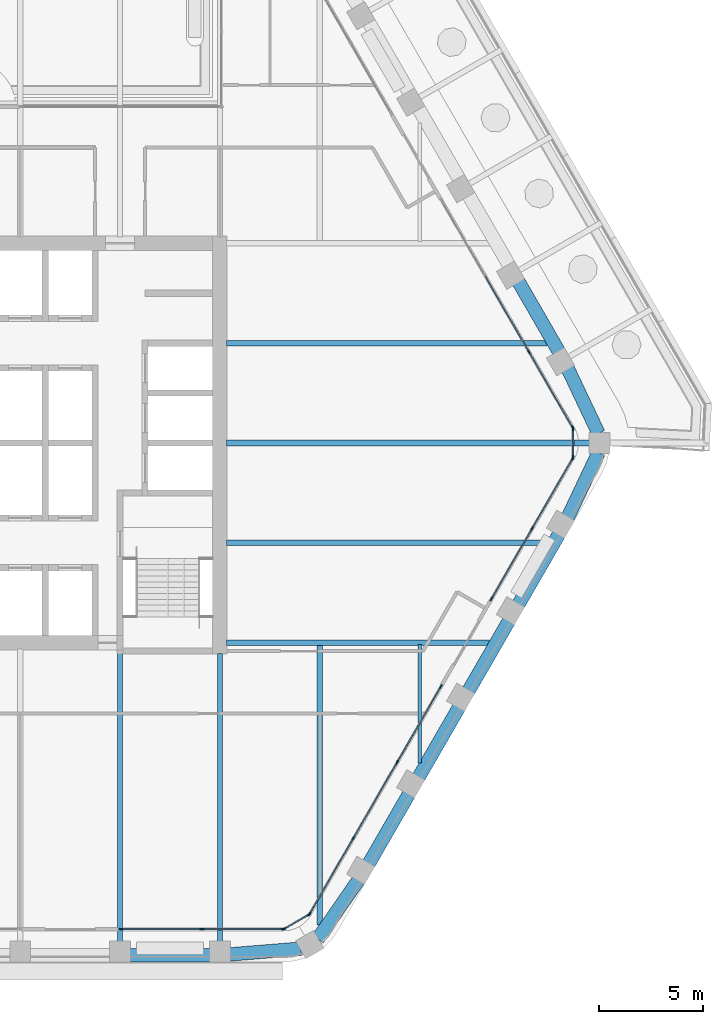
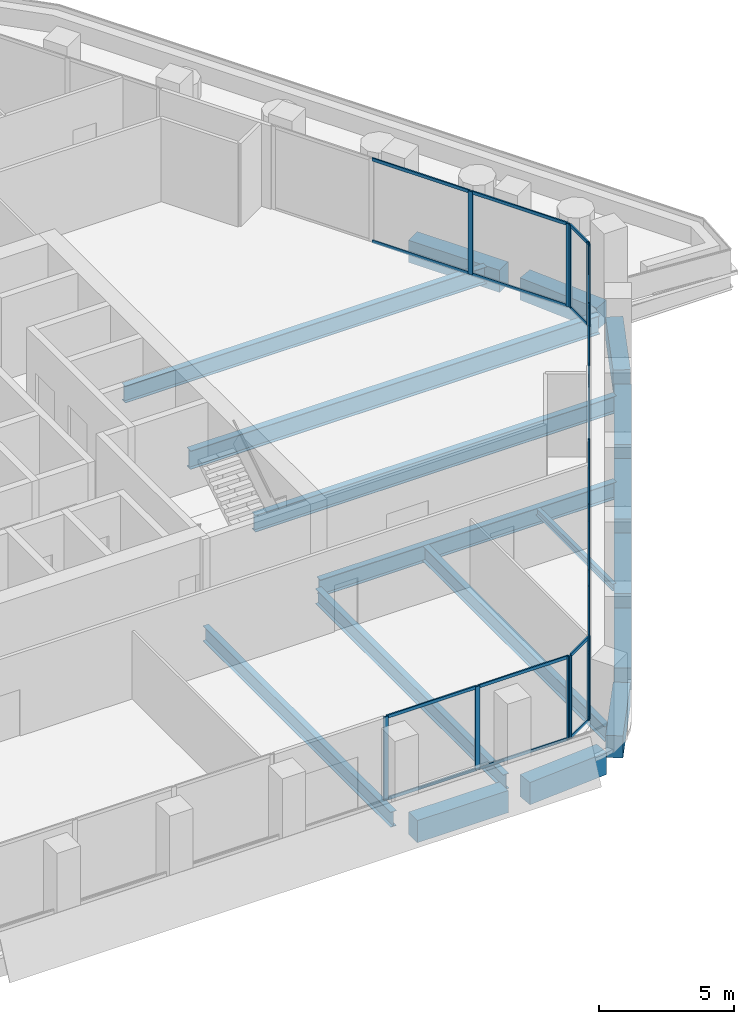
# One storey, part 4 of 17: 38 members, 18 beams, 6 elements without a shape of their own.
"""IFC4 building model written with IfcOpenShell, lengths in metres."""

from ifc_helpers import new_model, si_unit, direction, frame, origin, origin_2d, place, context, subcontext, project, spatial, rectangle, i_section, extrude, material, material_profile, profile_set, type_object, element, aggregate, save


model = new_model("IFC4")

# Units and contexts
model_context = context("Model", 3, precision=1e-05, world=origin(), true_north=direction((0.0, 1.0)))
body_context = subcontext(model_context, "Body", "Model", "MODEL_VIEW")
ifc_project = project(units=[si_unit("LENGTHUNIT", "METRE"), si_unit("AREAUNIT", "SQUARE_METRE"), si_unit("VOLUMEUNIT", "CUBIC_METRE"), si_unit("PLANEANGLEUNIT", "RADIAN"), si_unit("MASSUNIT", "GRAM", prefix="KILO")], contexts=[model_context])

# Site, building, storey
site_placement = place(None, origin())
site = spatial("IfcSite", under=ifc_project, at=site_placement, CompositionType="ELEMENT")
building_placement = place(site_placement, origin())
building = spatial("IfcBuilding", under=site, at=building_placement, Name="Kolab Exchange Tower", CompositionType="ELEMENT")
storey_placement = place(building_placement, frame((0.0, 0.0, 166.10009765625)))
storey = spatial("IfcBuildingStorey", under=building, at=storey_placement, Name="L34", CompositionType="ELEMENT", Elevation=166.10009765625)

# Beams
ifc_material_1 = material(Name="Steel S355", Category="steel")
ifc_material_profile_1 = material_profile(ifc_material_1, i_section(OverallWidth=0.1650390625, OverallDepth=0.31005859375, WebThickness=0.005859375, FlangeThickness=0.009765625, at=origin_2d()), Name="W310X39")
ifc_profile_set_1 = profile_set([ifc_material_profile_1], Name="Steel S355")
beam_type_1 = type_object("IfcBeamType", Name="FLOOR BEAM W310X39", PredefinedType="BEAM", material=ifc_profile_set_1)
beam_1_placement = place(storey_placement, frame((19.199951171875, -15.36767578125, -0.30517578125), z_axis=(0.0, 1.0, 0.0), x_axis=(-1.0, 0.0, 0.0)))
element("IfcBeam", 1, at=beam_1_placement, inside=storey, type_object=beam_type_1, Name="beam/L34/fr/030", PredefinedType="BEAM", context=body_context, shape_type="SweptSolid", body=[
    extrude(i_section(OverallWidth=0.1650390625, OverallDepth=0.31005859375, WebThickness=0.005859375, FlangeThickness=0.009765625, at=origin_2d()), origin(), (0.0, 0.0, 1.0), 5.674072265625),
])
ifc_material_profile_2 = material_profile(ifc_material_1, i_section(OverallWidth=0.25390625, OverallDepth=0.68408203125, WebThickness=0.012451171875, FlangeThickness=0.018798828125, at=origin_2d()), Name="W690X140")
ifc_profile_set_2 = profile_set([ifc_material_profile_2], Name="Steel S355")
beam_type_2 = type_object("IfcBeamType", Name="FLOOR BEAM W690X140", PredefinedType="BEAM", material=ifc_profile_set_2)
for number, where, z_axis, x_axis, name in (
    (2, (4.800048828125, -23.9814453125, -0.4921875), (0.0, 1.0, 0.0), (-1.0, 0.0, 0.0), "beam/L34/fr/019"),
    (3, (9.60009765625, -23.9814453125, -0.4921875), (0.0, 1.0, 0.0), (-1.0, 0.0, 0.0), "beam/L34/fr/023"),
):
    element("IfcBeam", number, at=place(storey_placement, frame(where, z_axis=z_axis, x_axis=x_axis)), inside=storey, type_object=beam_type_2, Name=name, PredefinedType="BEAM", context=body_context, shape_type="SweptSolid", body=[
        extrude(i_section(OverallWidth=0.25390625, OverallDepth=0.68408203125, WebThickness=0.012451171875, FlangeThickness=0.018798828125, at=origin_2d()), origin(), (0.0, 0.0, 1.0), 13.871337890625),
    ])
beam_2_placement = place(storey_placement, frame((14.39990234375, -23.15576171875, -0.4921875), z_axis=(0.0, 1.0, 0.0), x_axis=(-1.0, 0.0, 0.0)))
element("IfcBeam", 4, at=beam_2_placement, inside=storey, type_object=beam_type_2, Name="beam/L34/fr/028", PredefinedType="BEAM", context=body_context, shape_type="SweptSolid", body=[
    extrude(i_section(OverallWidth=0.25390625, OverallDepth=0.68408203125, WebThickness=0.012451171875, FlangeThickness=0.018798828125, at=origin_2d()), origin(), (0.0, 0.0, 1.0), 13.462158203125),
])
ifc_material_profile_3 = material_profile(ifc_material_1, i_section(OverallWidth=0.26708984375, OverallDepth=0.761962890625, WebThickness=0.014404296875, FlangeThickness=0.021484375, at=origin_2d()), Name="W760X173")
ifc_profile_set_3 = profile_set([ifc_material_profile_3], Name="Steel S355")
beam_type_3 = type_object("IfcBeamType", Name="FLOOR BEAM W760X173", PredefinedType="BEAM", material=ifc_profile_set_3)
for number, where, z_axis, x_axis, name in (
    (5, (9.909912109375, -4.800048828125, -0.531005859375), (1.0, 0.0, 0.0), (0.0, 1.0, 0.0), "beam/L34/fr/025"),
    (6, (9.909912109375, 4.800048828125, -0.531005859375), (1.0, 0.0, 0.0), (0.0, 1.0, 0.0), "beam/L34/fr/027"),
):
    element("IfcBeam", number, at=place(storey_placement, frame(where, z_axis=z_axis, x_axis=x_axis)), inside=storey, type_object=beam_type_3, Name=name, PredefinedType="BEAM", context=body_context, shape_type="SweptSolid", body=[
        extrude(i_section(OverallWidth=0.26708984375, OverallDepth=0.761962890625, WebThickness=0.014404296875, FlangeThickness=0.021484375, at=origin_2d()), origin(), (0.0, 0.0, 1.0), 15.408203125),
    ])
ifc_material_profile_4 = material_profile(ifc_material_1, i_section(OverallWidth=0.2919921875, OverallDepth=0.840087890625, WebThickness=0.0146484375, FlangeThickness=0.021728515625, at=origin_2d()), Name="W840X193")
ifc_profile_set_4 = profile_set([ifc_material_profile_4], Name="Steel S355")
beam_type_4 = type_object("IfcBeamType", Name="FLOOR BEAM W840X193", PredefinedType="BEAM", material=ifc_profile_set_4)
beam_3_placement = place(storey_placement, frame((9.909912109375, 0.0, -0.570068359375), z_axis=(1.0, 0.0, 0.0), x_axis=(0.0, 1.0, 0.0)))
element("IfcBeam", 7, at=beam_3_placement, inside=storey, type_object=beam_type_4, Name="beam/L34/fr/026", PredefinedType="BEAM", context=body_context, shape_type="SweptSolid", body=[
    extrude(i_section(OverallWidth=0.2919921875, OverallDepth=0.840087890625, WebThickness=0.0146484375, FlangeThickness=0.021728515625, at=origin_2d()), origin(), (0.0, 0.0, 1.0), 17.466064453125),
])
ifc_material_profile_5 = material_profile(ifc_material_1, i_section(OverallWidth=0.26708984375, OverallDepth=0.761962890625, WebThickness=0.014404296875, FlangeThickness=0.021484375, at=origin_2d()), Name="W760X173")
ifc_profile_set_5 = profile_set([ifc_material_profile_5], Name="Steel S355")
beam_type_5 = type_object("IfcBeamType", Name="FLOOR GIRDER W760X173", PredefinedType="BEAM", material=ifc_profile_set_5)
beam_4_placement = place(storey_placement, frame((9.909912109375, -9.60009765625, -0.531005859375), z_axis=(1.0, 0.0, 0.0), x_axis=(0.0, 1.0, 0.0)))
element("IfcBeam", 8, at=beam_4_placement, inside=storey, type_object=beam_type_5, Name="beam/L34/gd/002", PredefinedType="BEAM", context=body_context, shape_type="SweptSolid", body=[
    extrude(i_section(OverallWidth=0.26708984375, OverallDepth=0.761962890625, WebThickness=0.014404296875, FlangeThickness=0.021484375, at=origin_2d()), origin(), (0.0, 0.0, 1.0), 12.636962890625),
])
ifc_material_2 = material(Name="Concrete C60/75", Category="concrete")
ifc_material_profile_6 = material_profile(ifc_material_2, rectangle(XDim=0.64990234375, YDim=1.0, at=origin_2d()), Name="RC650X1000")
ifc_profile_set_6 = profile_set([ifc_material_profile_6], Name="Concrete C60/75")
beam_type_6 = type_object("IfcBeamType", Name="SPANDREL BEAM 650X1000 C60/75", PredefinedType="BEAM", material=ifc_profile_set_6)
beam_5_placement = place(storey_placement, frame((23.948486328125, 7.7529296875, -0.650146484375), z_axis=(0.499996613652, -0.866027358884, 0.0), x_axis=(0.866027358884, 0.499996613652, 0.0)))
element("IfcBeam", 9, at=beam_5_placement, inside=storey, type_object=beam_type_6, Name="beam/L34/sp/F2-05", PredefinedType="BEAM", context=body_context, shape_type="SweptSolid", body=[
    extrude(rectangle(XDim=0.64990234375, YDim=1.0, at=origin_2d()), origin(), (0.0, 0.0, 1.0), 3.8798828125),
])
for number, where, z_axis, x_axis, name in (
    (10, (26.316162109375, 3.5771484375, -0.650146484375), (0.428177731975, -0.903694544545, 0.0), (0.903694544545, 0.428177731975, 0.0), "beam/L34/sp/F2-06"),
    (11, (27.791259765625, -0.4638671875, -0.650146484375), (-0.428177731975, -0.903694544545, 0.0), (0.903694544545, -0.428177731975, 0.0), "beam/L34/sp/F3-01"),
):
    element("IfcBeam", number, at=place(storey_placement, frame(where, z_axis=z_axis, x_axis=x_axis)), inside=storey, type_object=beam_type_6, Name=name, PredefinedType="BEAM", context=body_context, shape_type="SweptSolid", body=[
        extrude(rectangle(XDim=0.64990234375, YDim=1.0, at=origin_2d()), origin(), (0.0, 0.0, 1.0), 3.445068359375),
    ])
for number, where, z_axis, x_axis, name in (
    (12, (25.888427734375, -4.392822265625, -0.650146484375), (-0.499996613652, -0.866027358884, 0.0), (0.866027358884, -0.499996613652, 0.0), "beam/L34/sp/F3-02"),
    (13, (23.488525390625, -8.5498046875, -0.650146484375), (-0.499996613652, -0.866027358884, 0.0), (0.866027358884, -0.499996613652, 0.0), "beam/L34/sp/F3-03"),
):
    element("IfcBeam", number, at=place(storey_placement, frame(where, z_axis=z_axis, x_axis=x_axis)), inside=storey, type_object=beam_type_6, Name=name, PredefinedType="BEAM", context=body_context, shape_type="SweptSolid", body=[
        extrude(rectangle(XDim=0.64990234375, YDim=1.0, at=origin_2d()), origin(), (0.0, 0.0, 1.0), 3.8798828125),
    ])
beam_6_placement = place(storey_placement, frame((21.088623046875, -12.70654296875, -0.650146484375), z_axis=(-0.50001655835, -0.866015843605, 0.0), x_axis=(0.866015843605, -0.50001655835, 0.0)))
element("IfcBeam", 14, at=beam_6_placement, inside=storey, type_object=beam_type_6, Name="beam/L34/sp/F3-04", PredefinedType="BEAM", context=body_context, shape_type="SweptSolid", body=[
    extrude(rectangle(XDim=0.64990234375, YDim=1.0, at=origin_2d()), origin(), (0.0, 0.0, 1.0), 3.880126953125),
])
beam_7_placement = place(storey_placement, frame((18.6884765625, -16.863525390625, -0.650146484375), z_axis=(-0.499996613652, -0.866027358884, 0.0), x_axis=(0.866027358884, -0.499996613652, 0.0)))
element("IfcBeam", 15, at=beam_7_placement, inside=storey, type_object=beam_type_6, Name="beam/L34/sp/F3-05", PredefinedType="BEAM", context=body_context, shape_type="SweptSolid", body=[
    extrude(rectangle(XDim=0.64990234375, YDim=1.0, at=origin_2d()), origin(), (0.0, 0.0, 1.0), 3.8798828125),
])
for number, where, z_axis, x_axis, name in (
    (16, (16.256103515625, -21.001953125, -0.650146484375), (-0.568572281073, -0.822633309073, 0.0), (0.822633309073, -0.568572281073, 0.0), "beam/L34/sp/F3-06"),
    (17, (13.493896484375, -24.2998046875, -0.650146484375), (-0.996708497182, -0.081068931445, 0.0), (0.081068931445, -0.996708497182, 0.0), "beam/L34/sp/F4-01"),
):
    element("IfcBeam", number, at=place(storey_placement, frame(where, z_axis=z_axis, x_axis=x_axis)), inside=storey, type_object=beam_type_6, Name=name, PredefinedType="BEAM", context=body_context, shape_type="SweptSolid", body=[
        extrude(rectangle(XDim=0.64990234375, YDim=1.0, at=origin_2d()), origin(), (0.0, 0.0, 1.0), 3.445068359375),
    ])
beam_8_placement = place(storey_placement, frame((9.139892578125, -24.616455078125, -0.650146484375), z_axis=(-1.0, 0.0, 0.0), x_axis=(0.0, -1.0, 0.0)))
element("IfcBeam", 18, at=beam_8_placement, inside=storey, type_object=beam_type_6, Name="beam/L34/sp/F4-02", PredefinedType="BEAM", context=body_context, shape_type="SweptSolid", body=[
    extrude(rectangle(XDim=0.64990234375, YDim=1.0, at=origin_2d()), origin(), (0.0, 0.0, 1.0), 3.8798828125),
])

# Curtain wall, members
ifc_material_3 = material(Name="Aluminium EN AW-6063 T6", Category="aluminium")
curtain_wall_type = type_object("IfcCurtainWallType", Name="UNITISED UPPER MID ZONE CURTAIN WALL", PredefinedType="NOTDEFINED", material=ifc_material_3)
curtain_wall_1_placement = place(storey_placement, origin())
curtain_wall_1 = element("IfcCurtainWall", 19, at=curtain_wall_1_placement, inside=storey, type_object=curtain_wall_type, Name="cw/L34/F2-2", PredefinedType="NOTDEFINED")
ifc_material_profile_7 = material_profile(ifc_material_3, rectangle(XDim=0.06005859375, YDim=0.199951171875, at=origin_2d()), Name="RECT 60X200")
ifc_profile_set_7 = profile_set([ifc_material_profile_7], Name="Aluminium EN AW-6063 T6")
member_type_1 = type_object("IfcMemberType", Name="UNITISED UPPER MID ZONE MULLION 60 X 200", PredefinedType="MULLION", material=ifc_profile_set_7)
member_1_placement = place(storey_placement, frame((24.454345703125, 4.366943359375, 0.0), z_axis=(0.0, 0.0, 1.0), x_axis=(0.866025427826, 0.499999958358, 0.0)))
member_1 = element("IfcMember", 20, at=member_1_placement, type_object=member_type_1, Name="CW3 mullion 3", PredefinedType="MULLION", context=body_context, shape_type="SweptSolid", body=[
    extrude(rectangle(XDim=0.06005859375, YDim=0.199951171875, at=origin_2d()), origin(), (0.0, 0.0, 1.0), 3.75),
])
member_2_placement = place(storey_placement, frame((26.550537109375, 0.736083984375, 0.0), z_axis=(0.0, 0.0, 1.0), x_axis=(0.866025427826, 0.499999958358, 0.0)))
member_2 = element("IfcMember", 21, at=member_2_placement, type_object=member_type_1, Name="CW3 mullion 4", PredefinedType="MULLION", context=body_context, shape_type="SweptSolid", body=[
    extrude(rectangle(XDim=0.06005859375, YDim=0.199951171875, at=origin_2d()), origin(), (0.0, 0.0, 1.0), 3.75),
])

curtain_wall_2_placement = place(storey_placement, origin())
curtain_wall_2 = element("IfcCurtainWall", 22, at=curtain_wall_2_placement, inside=storey, type_object=curtain_wall_type, Name="cw/L34/F3-1", PredefinedType="NOTDEFINED")
member_3_placement = place(storey_placement, frame((26.550537109375, -0.736083984375, 0.0), z_axis=(0.0, 0.0, 1.0), x_axis=(0.866025440524, -0.499999936366, 0.0)))
member_3 = element("IfcMember", 23, at=member_3_placement, type_object=member_type_1, Name="CW3 mullion 1", PredefinedType="MULLION", context=body_context, shape_type="SweptSolid", body=[
    extrude(rectangle(XDim=0.06005859375, YDim=0.199951171875, at=origin_2d()), origin(), (0.0, 0.0, 1.0), 3.75),
])
member_4_placement = place(storey_placement, frame((24.5986328125, -4.116943359375, 0.0), z_axis=(0.0, 0.0, 1.0), x_axis=(0.866025440524, -0.499999936366, 0.0)))
member_4 = element("IfcMember", 24, at=member_4_placement, type_object=member_type_1, Name="CW3 mullion 2", PredefinedType="MULLION", context=body_context, shape_type="SweptSolid", body=[
    extrude(rectangle(XDim=0.06005859375, YDim=0.199951171875, at=origin_2d()), origin(), (0.0, 0.0, 1.0), 3.75),
])
member_5_placement = place(storey_placement, frame((22.646728515625, -7.497802734375, 0.0), z_axis=(0.0, 0.0, 1.0), x_axis=(0.866025440524, -0.499999936366, 0.0)))
member_5 = element("IfcMember", 25, at=member_5_placement, type_object=member_type_1, Name="CW3 mullion 3", PredefinedType="MULLION", context=body_context, shape_type="SweptSolid", body=[
    extrude(rectangle(XDim=0.06005859375, YDim=0.199951171875, at=origin_2d()), origin(), (0.0, 0.0, 1.0), 3.75),
])

curtain_wall_3_placement = place(storey_placement, origin())
curtain_wall_3 = element("IfcCurtainWall", 26, at=curtain_wall_3_placement, inside=storey, type_object=curtain_wall_type, Name="cw/L34/F3-2", PredefinedType="NOTDEFINED")
member_6_placement = place(storey_placement, frame((20.216796875, -11.706787109375, 0.0), z_axis=(0.0, 0.0, 1.0), x_axis=(0.866025393644, -0.500000017564, 0.0)))
member_6 = element("IfcMember", 27, at=member_6_placement, type_object=member_type_1, Name="CW3 mullion 1", PredefinedType="MULLION", context=body_context, shape_type="SweptSolid", body=[
    extrude(rectangle(XDim=0.06005859375, YDim=0.199951171875, at=origin_2d()), origin(), (0.0, 0.0, 1.0), 3.75),
])
member_7_placement = place(storey_placement, frame((18.120361328125, -15.337646484375, 0.0), z_axis=(0.0, 0.0, 1.0), x_axis=(0.866025393644, -0.500000017564, 0.0)))
member_7 = element("IfcMember", 28, at=member_7_placement, type_object=member_type_1, Name="CW3 mullion 2", PredefinedType="MULLION", context=body_context, shape_type="SweptSolid", body=[
    extrude(rectangle(XDim=0.06005859375, YDim=0.199951171875, at=origin_2d()), origin(), (0.0, 0.0, 1.0), 3.75),
])
member_8_placement = place(storey_placement, frame((16.009033203125, -18.99462890625, 0.0), z_axis=(0.0, 0.0, 1.0), x_axis=(0.866025393644, -0.500000017564, 0.0)))
member_8 = element("IfcMember", 29, at=member_8_placement, type_object=member_type_1, Name="CW3 mullion 3", PredefinedType="MULLION", context=body_context, shape_type="SweptSolid", body=[
    extrude(rectangle(XDim=0.06005859375, YDim=0.199951171875, at=origin_2d()), origin(), (0.0, 0.0, 1.0), 3.75),
])
member_9_placement = place(storey_placement, frame((13.91259765625, -22.62548828125, 0.0), z_axis=(0.0, 0.0, 1.0), x_axis=(0.866025393644, -0.500000017564, 0.0)))
member_9 = element("IfcMember", 30, at=member_9_placement, type_object=member_type_1, Name="CW3 mullion 4", PredefinedType="MULLION", context=body_context, shape_type="SweptSolid", body=[
    extrude(rectangle(XDim=0.06005859375, YDim=0.199951171875, at=origin_2d()), origin(), (0.0, 0.0, 1.0), 3.75),
])

curtain_wall_4_placement = place(storey_placement, origin())
curtain_wall_4 = element("IfcCurtainWall", 31, at=curtain_wall_4_placement, inside=storey, type_object=curtain_wall_type, Name="cw/L34/F4-1", PredefinedType="NOTDEFINED")
member_10_placement = place(storey_placement, frame((12.637939453125, -23.361572265625, 0.0), z_axis=(0.0, 0.0, 1.0), x_axis=(0.0, -1.0, 0.0)))
member_10 = element("IfcMember", 32, at=member_10_placement, type_object=member_type_1, Name="CW3 mullion 1", PredefinedType="MULLION", context=body_context, shape_type="SweptSolid", body=[
    extrude(rectangle(XDim=0.06005859375, YDim=0.199951171875, at=origin_2d()), origin(), (0.0, 0.0, 1.0), 3.75),
])
member_11_placement = place(storey_placement, frame((8.73388671875, -23.361572265625, 0.0), z_axis=(0.0, 0.0, 1.0), x_axis=(0.0, -1.0, 0.0)))
member_11 = element("IfcMember", 33, at=member_11_placement, type_object=member_type_1, Name="CW3 mullion 2", PredefinedType="MULLION", context=body_context, shape_type="SweptSolid", body=[
    extrude(rectangle(XDim=0.06005859375, YDim=0.199951171875, at=origin_2d()), origin(), (0.0, 0.0, 1.0), 3.75),
])
member_12_placement = place(storey_placement, frame((4.830078125, -23.361572265625, 0.0), z_axis=(0.0, 0.0, 1.0), x_axis=(0.0, -1.0, 0.0)))
member_12 = element("IfcMember", 34, at=member_12_placement, type_object=member_type_1, Name="CW3 mullion 3", PredefinedType="MULLION", context=body_context, shape_type="SweptSolid", body=[
    extrude(rectangle(XDim=0.06005859375, YDim=0.199951171875, at=origin_2d()), origin(), (0.0, 0.0, 1.0), 3.75),
])

curtain_wall_5_placement = place(storey_placement, origin())
curtain_wall_5 = element("IfcCurtainWall", 35, at=curtain_wall_5_placement, inside=storey, type_object=curtain_wall_type, Name="cw/L34/F2F3-corner", PredefinedType="NOTDEFINED")
member_13_placement = place(storey_placement, frame((26.565673828125, 0.679931640625, 0.0), z_axis=(0.0, 0.0, 1.0), x_axis=(1.0, 0.0, 0.0)))
member_13 = element("IfcMember", 36, at=member_13_placement, type_object=member_type_1, Name="CW3 mullion 1", PredefinedType="MULLION", context=body_context, shape_type="SweptSolid", body=[
    extrude(rectangle(XDim=0.06005859375, YDim=0.199951171875, at=origin_2d()), origin(), (0.0, 0.0, 1.0), 3.75),
])
member_14_placement = place(storey_placement, frame((26.565673828125, -0.679931640625, 0.0), z_axis=(0.0, 0.0, 1.0), x_axis=(1.0, 0.0, 0.0)))
member_14 = element("IfcMember", 37, at=member_14_placement, type_object=member_type_1, Name="CW3 mullion 2", PredefinedType="MULLION", context=body_context, shape_type="SweptSolid", body=[
    extrude(rectangle(XDim=0.06005859375, YDim=0.199951171875, at=origin_2d()), origin(), (0.0, 0.0, 1.0), 3.75),
])

curtain_wall_6_placement = place(storey_placement, origin())
curtain_wall_6 = element("IfcCurtainWall", 38, at=curtain_wall_6_placement, inside=storey, type_object=curtain_wall_type, Name="cw/L34/F3F4-corner", PredefinedType="NOTDEFINED")
member_15_placement = place(storey_placement, frame((13.871826171875, -22.66650390625, 0.0), z_axis=(0.0, 0.0, 1.0), x_axis=(0.50000002237, -0.866025390869, 0.0)))
member_15 = element("IfcMember", 39, at=member_15_placement, type_object=member_type_1, Name="CW3 mullion 1", PredefinedType="MULLION", context=body_context, shape_type="SweptSolid", body=[
    extrude(rectangle(XDim=0.06005859375, YDim=0.199951171875, at=origin_2d()), origin(), (0.0, 0.0, 1.0), 3.75),
])
member_16_placement = place(storey_placement, frame((12.69384765625, -23.346435546875, 0.0), z_axis=(0.0, 0.0, 1.0), x_axis=(0.50000002237, -0.866025390869, 0.0)))
member_16 = element("IfcMember", 40, at=member_16_placement, type_object=member_type_1, Name="CW3 mullion 2", PredefinedType="MULLION", context=body_context, shape_type="SweptSolid", body=[
    extrude(rectangle(XDim=0.06005859375, YDim=0.199951171875, at=origin_2d()), origin(), (0.0, 0.0, 1.0), 3.75),
])

# Member
ifc_material_profile_8 = material_profile(ifc_material_3, rectangle(XDim=0.06005859375, YDim=0.139892578125, at=origin_2d()), Name="RECT 60X140")
ifc_profile_set_8 = profile_set([ifc_material_profile_8], Name="Aluminium EN AW-6063 T6")
member_type_2 = type_object("IfcMemberType", Name="UNITISED UPPER MID ZONE TRANSOM 60 X 140", PredefinedType="USERDEFINED", material=ifc_profile_set_8)
member_17_placement = place(storey_placement, frame((22.35791015625, 7.997802734375, 0.02978515625), z_axis=(0.49999322259, -0.866029316688, 0.0), x_axis=(0.866029316688, 0.49999322259, 0.0)))
member_17 = element("IfcMember", 41, at=member_17_placement, type_object=member_type_2, Name="CW3 transom 2.1", ObjectType="TRANSOM", PredefinedType="USERDEFINED", context=body_context, shape_type="SweptSolid", body=[
    extrude(rectangle(XDim=0.06005859375, YDim=0.139892578125, at=origin_2d()), origin(), (0.0, 0.0, 1.0), 4.16259765625),
])

member_18_placement = place(storey_placement, frame((22.35791015625, 7.997802734375, 3.719970703125), z_axis=(0.49999322259, -0.866029316688, 0.0), x_axis=(0.866029316688, 0.49999322259, 0.0)))
member_18 = element("IfcMember", 42, at=member_18_placement, type_object=member_type_2, Name="CW3 transom 2.2", ObjectType="TRANSOM", PredefinedType="USERDEFINED", context=body_context, shape_type="SweptSolid", body=[
    extrude(rectangle(XDim=0.06005859375, YDim=0.139892578125, at=origin_2d()), origin(), (0.0, 0.0, 1.0), 4.16259765625),
])

member_19_placement = place(storey_placement, frame((24.46923828125, 4.3408203125, 0.02978515625), z_axis=(0.500027577057, -0.866009481578, 0.0), x_axis=(0.866009481578, 0.500027577057, 0.0)))
member_19 = element("IfcMember", 43, at=member_19_placement, type_object=member_type_2, Name="CW3 transom 3.1", ObjectType="TRANSOM", PredefinedType="USERDEFINED", context=body_context, shape_type="SweptSolid", body=[
    extrude(rectangle(XDim=0.06005859375, YDim=0.139892578125, at=origin_2d()), origin(), (0.0, 0.0, 1.0), 4.132568359375),
])

member_20_placement = place(storey_placement, frame((24.46923828125, 4.3408203125, 3.719970703125), z_axis=(0.500027577057, -0.866009481578, 0.0), x_axis=(0.866009481578, 0.500027577057, 0.0)))
member_20 = element("IfcMember", 44, at=member_20_placement, type_object=member_type_2, Name="CW3 transom 3.2", ObjectType="TRANSOM", PredefinedType="USERDEFINED", context=body_context, shape_type="SweptSolid", body=[
    extrude(rectangle(XDim=0.06005859375, YDim=0.139892578125, at=origin_2d()), origin(), (0.0, 0.0, 1.0), 4.132568359375),
])

aggregate(curtain_wall_1, [member_1, member_2, member_17, member_18, member_19, member_20])

member_21_placement = place(storey_placement, frame((26.53564453125, -0.761962890625, 0.02978515625), z_axis=(-0.499991857942, -0.866030104553, 0.0), x_axis=(0.866030104553, -0.499991857942, 0.0)))
member_21 = element("IfcMember", 45, at=member_21_placement, type_object=member_type_2, Name="CW3 transom 1.1", ObjectType="TRANSOM", PredefinedType="USERDEFINED", context=body_context, shape_type="SweptSolid", body=[
    extrude(rectangle(XDim=0.06005859375, YDim=0.139892578125, at=origin_2d()), origin(), (0.0, 0.0, 1.0), 3.84375),
])

member_22_placement = place(storey_placement, frame((26.53564453125, -0.761962890625, 3.719970703125), z_axis=(-0.499991857942, -0.866030104553, 0.0), x_axis=(0.866030104553, -0.499991857942, 0.0)))
member_22 = element("IfcMember", 46, at=member_22_placement, type_object=member_type_2, Name="CW3 transom 1.2", ObjectType="TRANSOM", PredefinedType="USERDEFINED", context=body_context, shape_type="SweptSolid", body=[
    extrude(rectangle(XDim=0.06005859375, YDim=0.139892578125, at=origin_2d()), origin(), (0.0, 0.0, 1.0), 3.84375),
])

member_23_placement = place(storey_placement, frame((24.583740234375, -4.142822265625, 0.02978515625), z_axis=(-0.500011990396, -0.866018481016, 0.0), x_axis=(0.866018481016, -0.500011990396, 0.0)))
member_23 = element("IfcMember", 47, at=member_23_placement, type_object=member_type_2, Name="CW3 transom 2.1", ObjectType="TRANSOM", PredefinedType="USERDEFINED", context=body_context, shape_type="SweptSolid", body=[
    extrude(rectangle(XDim=0.06005859375, YDim=0.139892578125, at=origin_2d()), origin(), (0.0, 0.0, 1.0), 3.84423828125),
])

member_24_placement = place(storey_placement, frame((24.583740234375, -4.142822265625, 3.719970703125), z_axis=(-0.500011990396, -0.866018481016, 0.0), x_axis=(0.866018481016, -0.500011990396, 0.0)))
member_24 = element("IfcMember", 48, at=member_24_placement, type_object=member_type_2, Name="CW3 transom 2.2", ObjectType="TRANSOM", PredefinedType="USERDEFINED", context=body_context, shape_type="SweptSolid", body=[
    extrude(rectangle(XDim=0.06005859375, YDim=0.139892578125, at=origin_2d()), origin(), (0.0, 0.0, 1.0), 3.84423828125),
])

aggregate(curtain_wall_2, [member_3, member_4, member_5, member_21, member_22, member_23, member_24])

member_25_placement = place(storey_placement, frame((20.20166015625, -11.732666015625, 0.02978515625), z_axis=(-0.500001996123, -0.866024251319, 0.0), x_axis=(0.866024251319, -0.500001996123, 0.0)))
member_25 = element("IfcMember", 49, at=member_25_placement, type_object=member_type_2, Name="CW3 transom 1.1", ObjectType="TRANSOM", PredefinedType="USERDEFINED", context=body_context, shape_type="SweptSolid", body=[
    extrude(rectangle(XDim=0.06005859375, YDim=0.139892578125, at=origin_2d()), origin(), (0.0, 0.0, 1.0), 4.1328125),
])

member_26_placement = place(storey_placement, frame((20.20166015625, -11.732666015625, 3.719970703125), z_axis=(-0.500001996123, -0.866024251319, 0.0), x_axis=(0.866024251319, -0.500001996123, 0.0)))
member_26 = element("IfcMember", 50, at=member_26_placement, type_object=member_type_2, Name="CW3 transom 1.2", ObjectType="TRANSOM", PredefinedType="USERDEFINED", context=body_context, shape_type="SweptSolid", body=[
    extrude(rectangle(XDim=0.06005859375, YDim=0.139892578125, at=origin_2d()), origin(), (0.0, 0.0, 1.0), 4.1328125),
])

member_27_placement = place(storey_placement, frame((18.10546875, -15.36376953125, 0.02978515625), z_axis=(-0.500037208726, -0.86600392025, 0.0), x_axis=(0.86600392025, -0.500037208726, 0.0)))
member_27 = element("IfcMember", 51, at=member_27_placement, type_object=member_type_2, Name="CW3 transom 2.1", ObjectType="TRANSOM", PredefinedType="USERDEFINED", context=body_context, shape_type="SweptSolid", body=[
    extrude(rectangle(XDim=0.06005859375, YDim=0.139892578125, at=origin_2d()), origin(), (0.0, 0.0, 1.0), 4.162841796875),
])

member_28_placement = place(storey_placement, frame((18.10546875, -15.36376953125, 3.719970703125), z_axis=(-0.500037208726, -0.86600392025, 0.0), x_axis=(0.86600392025, -0.500037208726, 0.0)))
member_28 = element("IfcMember", 52, at=member_28_placement, type_object=member_type_2, Name="CW3 transom 2.2", ObjectType="TRANSOM", PredefinedType="USERDEFINED", context=body_context, shape_type="SweptSolid", body=[
    extrude(rectangle(XDim=0.06005859375, YDim=0.139892578125, at=origin_2d()), origin(), (0.0, 0.0, 1.0), 4.162841796875),
])

member_29_placement = place(storey_placement, frame((15.994140625, -19.0205078125, 0.02978515625), z_axis=(-0.500001996123, -0.866024251319, 0.0), x_axis=(0.866024251319, -0.500001996123, 0.0)))
member_29 = element("IfcMember", 53, at=member_29_placement, type_object=member_type_2, Name="CW3 transom 3.1", ObjectType="TRANSOM", PredefinedType="USERDEFINED", context=body_context, shape_type="SweptSolid", body=[
    extrude(rectangle(XDim=0.06005859375, YDim=0.139892578125, at=origin_2d()), origin(), (0.0, 0.0, 1.0), 4.1328125),
])

member_30_placement = place(storey_placement, frame((15.994140625, -19.0205078125, 3.719970703125), z_axis=(-0.500001996123, -0.866024251319, 0.0), x_axis=(0.866024251319, -0.500001996123, 0.0)))
member_30 = element("IfcMember", 54, at=member_30_placement, type_object=member_type_2, Name="CW3 transom 3.2", ObjectType="TRANSOM", PredefinedType="USERDEFINED", context=body_context, shape_type="SweptSolid", body=[
    extrude(rectangle(XDim=0.06005859375, YDim=0.139892578125, at=origin_2d()), origin(), (0.0, 0.0, 1.0), 4.1328125),
])

aggregate(curtain_wall_3, [member_6, member_7, member_8, member_9, member_25, member_26, member_27, member_28, member_29, member_30])

member_31_placement = place(storey_placement, frame((12.60791015625, -23.361572265625, 0.02978515625), z_axis=(-1.0, 0.0, 0.0), x_axis=(0.0, -1.0, 0.0)))
member_31 = element("IfcMember", 55, at=member_31_placement, type_object=member_type_2, Name="CW3 transom 1.1", ObjectType="TRANSOM", PredefinedType="USERDEFINED", context=body_context, shape_type="SweptSolid", body=[
    extrude(rectangle(XDim=0.06005859375, YDim=0.139892578125, at=origin_2d()), origin(), (0.0, 0.0, 1.0), 3.843994140625),
])

member_32_placement = place(storey_placement, frame((12.60791015625, -23.361572265625, 3.719970703125), z_axis=(-1.0, 0.0, 0.0), x_axis=(0.0, -1.0, 0.0)))
member_32 = element("IfcMember", 56, at=member_32_placement, type_object=member_type_2, Name="CW3 transom 1.2", ObjectType="TRANSOM", PredefinedType="USERDEFINED", context=body_context, shape_type="SweptSolid", body=[
    extrude(rectangle(XDim=0.06005859375, YDim=0.139892578125, at=origin_2d()), origin(), (0.0, 0.0, 1.0), 3.843994140625),
])

member_33_placement = place(storey_placement, frame((8.703857421875, -23.361572265625, 0.02978515625), z_axis=(-1.0, 0.0, 0.0), x_axis=(0.0, -1.0, 0.0)))
member_33 = element("IfcMember", 57, at=member_33_placement, type_object=member_type_2, Name="CW3 transom 2.1", ObjectType="TRANSOM", PredefinedType="USERDEFINED", context=body_context, shape_type="SweptSolid", body=[
    extrude(rectangle(XDim=0.06005859375, YDim=0.139892578125, at=origin_2d()), origin(), (0.0, 0.0, 1.0), 3.84375),
])

member_34_placement = place(storey_placement, frame((8.703857421875, -23.361572265625, 3.719970703125), z_axis=(-1.0, 0.0, 0.0), x_axis=(0.0, -1.0, 0.0)))
member_34 = element("IfcMember", 58, at=member_34_placement, type_object=member_type_2, Name="CW3 transom 2.2", ObjectType="TRANSOM", PredefinedType="USERDEFINED", context=body_context, shape_type="SweptSolid", body=[
    extrude(rectangle(XDim=0.06005859375, YDim=0.139892578125, at=origin_2d()), origin(), (0.0, 0.0, 1.0), 3.84375),
])

aggregate(curtain_wall_4, [member_10, member_11, member_12, member_31, member_32, member_33, member_34])

member_35_placement = place(storey_placement, frame((26.565673828125, 0.64990234375, 0.02978515625), z_axis=(0.0, -1.0, 0.0), x_axis=(1.0, 0.0, 0.0)))
member_35 = element("IfcMember", 59, at=member_35_placement, type_object=member_type_2, Name="CW3 transom 1.1", ObjectType="TRANSOM", PredefinedType="USERDEFINED", context=body_context, shape_type="SweptSolid", body=[
    extrude(rectangle(XDim=0.06005859375, YDim=0.139892578125, at=origin_2d()), origin(), (0.0, 0.0, 1.0), 1.2998046875),
])

member_36_placement = place(storey_placement, frame((26.565673828125, 0.64990234375, 3.719970703125), z_axis=(0.0, -1.0, 0.0), x_axis=(1.0, 0.0, 0.0)))
member_36 = element("IfcMember", 60, at=member_36_placement, type_object=member_type_2, Name="CW3 transom 1.2", ObjectType="TRANSOM", PredefinedType="USERDEFINED", context=body_context, shape_type="SweptSolid", body=[
    extrude(rectangle(XDim=0.06005859375, YDim=0.139892578125, at=origin_2d()), origin(), (0.0, 0.0, 1.0), 1.2998046875),
])

aggregate(curtain_wall_5, [member_13, member_14, member_35, member_36])

member_37_placement = place(storey_placement, frame((13.845703125, -22.681640625, 0.02978515625), z_axis=(-0.86603858612, -0.49997716683, 0.0), x_axis=(0.49997716683, -0.86603858612, 0.0)))
member_37 = element("IfcMember", 61, at=member_37_placement, type_object=member_type_2, Name="CW3 transom 1.1", ObjectType="TRANSOM", PredefinedType="USERDEFINED", context=body_context, shape_type="SweptSolid", body=[
    extrude(rectangle(XDim=0.06005859375, YDim=0.139892578125, at=origin_2d()), origin(), (0.0, 0.0, 1.0), 1.2998046875),
])

member_38_placement = place(storey_placement, frame((13.845703125, -22.681640625, 3.719970703125), z_axis=(-0.86603858612, -0.49997716683, 0.0), x_axis=(0.49997716683, -0.86603858612, 0.0)))
member_38 = element("IfcMember", 62, at=member_38_placement, type_object=member_type_2, Name="CW3 transom 1.2", ObjectType="TRANSOM", PredefinedType="USERDEFINED", context=body_context, shape_type="SweptSolid", body=[
    extrude(rectangle(XDim=0.06005859375, YDim=0.139892578125, at=origin_2d()), origin(), (0.0, 0.0, 1.0), 1.2998046875),
])

aggregate(curtain_wall_6, [member_15, member_16, member_37, member_38])

save(model, "model.ifc")
